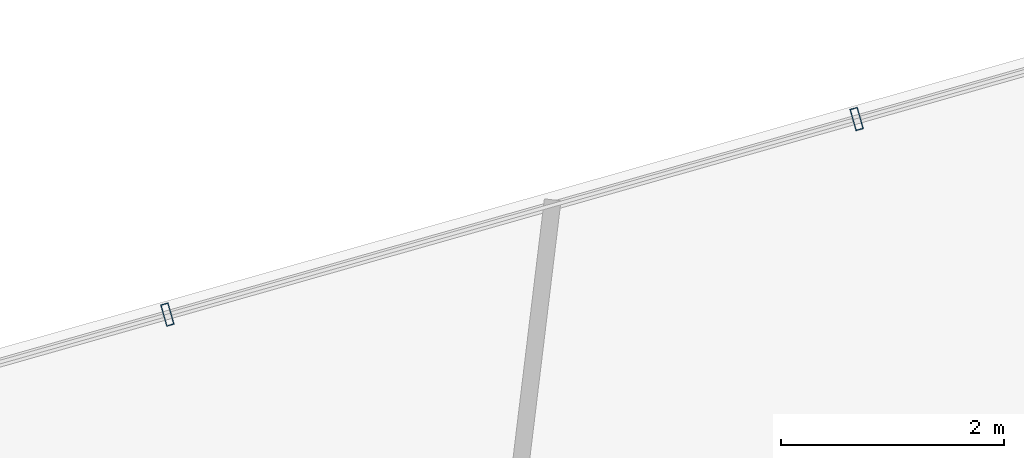
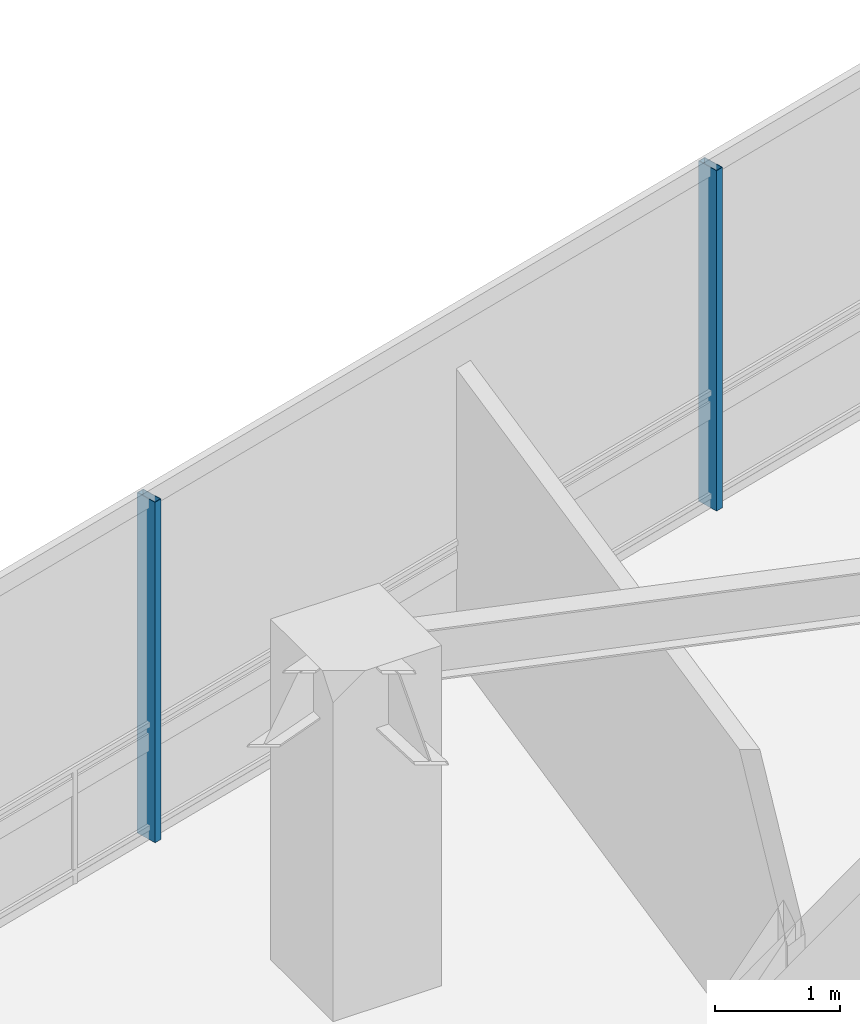
# One storey, part 12 of 19: 2 members, 1 element without a shape of its own.
"""IFC4 building model written with IfcOpenShell, lengths in metres."""

from ifc_helpers import new_model, si_unit, direction, frame, origin, origin_2d, place, context, subcontext, project, spatial, hollow_rectangle, extrude, material, layer, layer_set, material_profile, profile_set, type_object, element, aggregate, save


model = new_model("IFC4")

# Units and contexts
model_context = context("Model", 3, precision=1e-05, world=origin(), true_north=direction((0.0, 1.0)))
body_context = subcontext(model_context, "Body", "Model", "MODEL_VIEW")
ifc_project = project(units=[si_unit("LENGTHUNIT", "METRE"), si_unit("AREAUNIT", "SQUARE_METRE"), si_unit("VOLUMEUNIT", "CUBIC_METRE"), si_unit("PLANEANGLEUNIT", "RADIAN"), si_unit("MASSUNIT", "GRAM", prefix="KILO")], contexts=[model_context])

# Site, building, storey
site_placement = place(None, origin())
site = spatial("IfcSite", under=ifc_project, at=site_placement, CompositionType="ELEMENT")
building_placement = place(site_placement, origin())
building = spatial("IfcBuilding", under=site, at=building_placement, Name="Qarnah Convention Tower", CompositionType="ELEMENT")
storey_placement = place(building_placement, frame((0.0, 0.0, 125.699951171875)))
storey = spatial("IfcBuildingStorey", under=building, at=storey_placement, Name="L33", CompositionType="ELEMENT", Elevation=125.699951171875)

# Curtain wall, members
ifc_material_1 = material(Name="Tempered Low-E dark glass", Category="glass")
ifc_layer = layer(ifc_material_1, 0.172119140625)
ifc_layer_set = layer_set([ifc_layer], Name="Tempered Low-E dark glass")
curtain_wall_type = type_object("IfcCurtainWallType", Name="CWS-03", PredefinedType="NOTDEFINED", material=ifc_layer_set)
curtain_wall_placement = place(storey_placement, origin())
curtain_wall = element("IfcCurtainWall", 1, at=curtain_wall_placement, inside=storey, type_object=curtain_wall_type, Name="L33 unitised curtain wall CW-L33-F4", PredefinedType="NOTDEFINED")
ifc_material_2 = material(Name="Black anodised aluminium", Category="aluminium")
ifc_material_profile = material_profile(ifc_material_2, hollow_rectangle(XDim=0.070068359375, YDim=0.199951171875, WallThickness=0.0048828125, at=origin_2d()), Name="MUL-70X200")
ifc_profile_set = profile_set([ifc_material_profile], Name="Black anodised aluminium")
member_type = type_object("IfcMemberType", Name="MUL-T3", PredefinedType="MULLION", material=ifc_profile_set)
member_1_placement = place(storey_placement, frame((36.2021484375, 43.71484375, 0.0), z_axis=(0.0, 0.0, 1.0), x_axis=(0.962024008053, 0.272964847426, 0.0)))
member_1 = element("IfcMember", 2, at=member_1_placement, type_object=member_type, Name="CW-L33-F4 mullion 4", PredefinedType="MULLION", context=body_context, shape_type="SweptSolid", body=[
    extrude(hollow_rectangle(XDim=0.070068359375, YDim=0.199951171875, WallThickness=0.0048828125, at=origin_2d()), origin(), (0.0, 0.0, 1.0), 3.320068359375),
])
member_2_placement = place(storey_placement, frame((42.396484375, 45.472412109375, 0.0), z_axis=(0.0, 0.0, 1.0), x_axis=(0.962024008053, 0.272964847426, 0.0)))
member_2 = element("IfcMember", 3, at=member_2_placement, type_object=member_type, Name="CW-L33-F4 mullion 5", PredefinedType="MULLION", context=body_context, shape_type="SweptSolid", body=[
    extrude(hollow_rectangle(XDim=0.070068359375, YDim=0.199951171875, WallThickness=0.0048828125, at=origin_2d()), origin(), (0.0, 0.0, 1.0), 3.320068359375),
])
aggregate(curtain_wall, [member_1, member_2])

save(model, "model.ifc")
